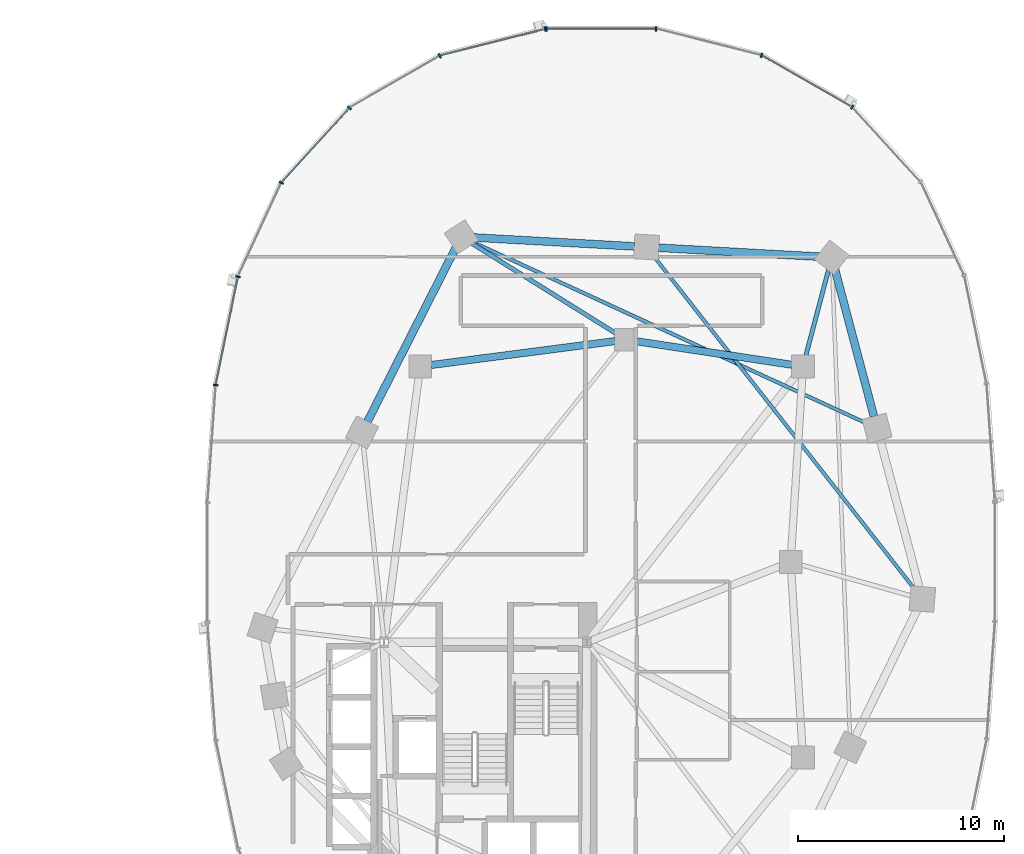
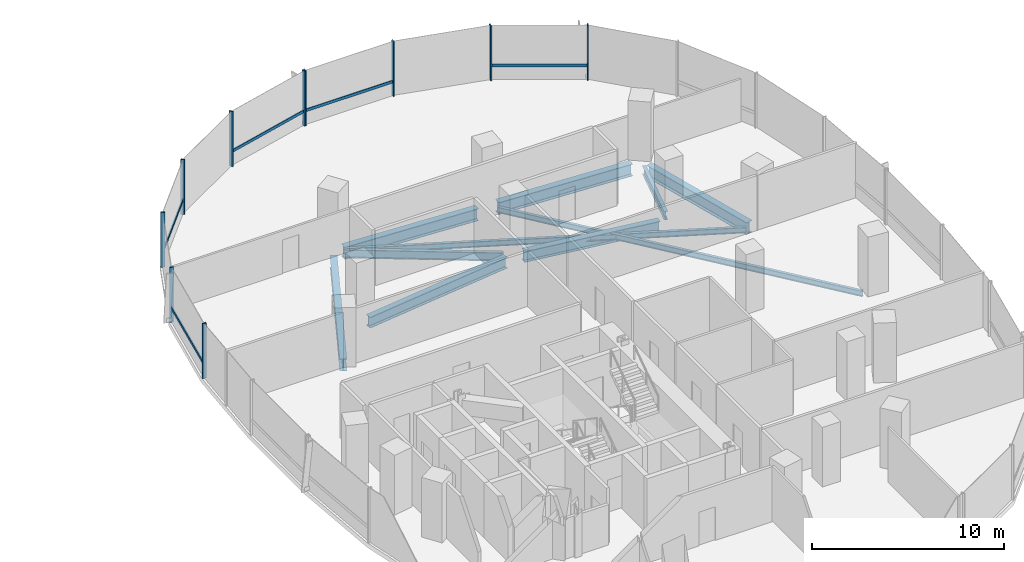
# One storey, part 7 of 21: 15 members, 10 beams, 2 elements without a shape of their own.
"""IFC4 building model written with IfcOpenShell, lengths in metres."""

from ifc_helpers import new_model, si_unit, direction, frame, origin, origin_2d, place, context, subcontext, project, spatial, rectangle, i_section, extrude, material, material_profile, profile_set, type_object, element, aggregate, save


model = new_model("IFC4")

# Units and contexts
model_context = context("Model", 3, precision=1e-05, world=origin(), true_north=direction((0.0, 1.0)))
body_context = subcontext(model_context, "Body", "Model", "MODEL_VIEW")
ifc_project = project(units=[si_unit("LENGTHUNIT", "METRE"), si_unit("AREAUNIT", "SQUARE_METRE"), si_unit("VOLUMEUNIT", "CUBIC_METRE"), si_unit("PLANEANGLEUNIT", "RADIAN"), si_unit("MASSUNIT", "GRAM", prefix="KILO"), si_unit("THERMODYNAMICTEMPERATUREUNIT", "KELVIN"), si_unit("POWERUNIT", "WATT")], contexts=[model_context])

# Site, building, storey
site_placement = place(None, origin())
site = spatial("IfcSite", under=ifc_project, at=site_placement, CompositionType="ELEMENT")
building_placement = place(site_placement, origin())
building = spatial("IfcBuilding", under=site, at=building_placement, Name="Cundina Bronze Exchange", CompositionType="ELEMENT")
storey_placement = place(building_placement, frame((0.0, 0.0, 65.800048828125)))
storey = spatial("IfcBuildingStorey", under=building, at=storey_placement, Name="L16", CompositionType="ELEMENT", Elevation=65.800048828125)

# Beams
ifc_material_1 = material(Name="Steel ASTM A992 Grade 50", Category="steel")
ifc_material_profile_1 = material_profile(ifc_material_1, i_section(OverallWidth=0.2099609375, OverallDepth=0.532958984375, WebThickness=0.01025390625, FlangeThickness=0.015625, FilletRadius=0.013916015625, at=origin_2d()), Name="W21X62", Category="steel")
ifc_profile_set_1 = profile_set([ifc_material_profile_1], Name="Steel ASTM A992 Grade 50")
beam_type_1 = type_object("IfcBeamType", Name="BM-FLR-W21B", PredefinedType="BEAM", material=ifc_profile_set_1)
beam_1_placement = place(storey_placement, frame((41.9375, 10.020263671875, -0.566650390625), z_axis=(0.255373327887, 0.966842522546, 0.0), x_axis=(-0.966842522546, 0.255373327887, 0.0)))
element("IfcBeam", 1, at=beam_1_placement, inside=storey, type_object=beam_type_1, Name="L16 Leg E Chordal Floor Beam 10", PredefinedType="BEAM", context=body_context, shape_type="SweptSolid", body=[
    extrude(i_section(OverallWidth=0.2099609375, OverallDepth=0.532958984375, WebThickness=0.01025390625, FlangeThickness=0.015625, FilletRadius=0.013916015625, at=origin_2d()), origin(), (0.0, 0.0, 1.0), 4.355712890625),
])
beam_2_placement = place(storey_placement, frame((32.743896484375, 11.085205078125, -0.566650390625), z_axis=(-0.848014812458, 0.529972525563, 0.0), x_axis=(-0.529972525563, -0.848014812458, 0.0)))
element("IfcBeam", 2, at=beam_2_placement, inside=storey, type_object=beam_type_1, Name="L16 Leg E Chordal Floor Beam 12", PredefinedType="BEAM", context=body_context, shape_type="SweptSolid", body=[
    extrude(i_section(OverallWidth=0.2099609375, OverallDepth=0.532958984375, WebThickness=0.01025390625, FlangeThickness=0.015625, FilletRadius=0.013916015625, at=origin_2d()), origin(), (0.0, 0.0, 1.0), 8.30810546875),
])
ifc_material_profile_2 = material_profile(ifc_material_1, i_section(OverallWidth=0.172119140625, OverallDepth=0.35791015625, WebThickness=0.0078125, FlangeThickness=0.01318359375, FilletRadius=0.010009765625, at=origin_2d()), Name="W14X38", Category="steel")
ifc_profile_set_2 = profile_set([ifc_material_profile_2], Name="Steel ASTM A992 Grade 50")
beam_type_2 = type_object("IfcBeamType", Name="BM-JST-W14", PredefinedType="JOIST", material=ifc_profile_set_2)
beam_3_placement = place(storey_placement, frame((47.2373046875, -1.337158203125, -0.47900390625), z_axis=(-0.616803089524, 0.787117493614, 0.0), x_axis=(-0.787117493614, -0.616803089524, 0.0)))
element("IfcBeam", 3, at=beam_3_placement, inside=storey, type_object=beam_type_2, Name="L16 Leg E Lobe Floor Joist 08-11", PredefinedType="JOIST", context=body_context, shape_type="SweptSolid", body=[
    extrude(i_section(OverallWidth=0.172119140625, OverallDepth=0.35791015625, WebThickness=0.0078125, FlangeThickness=0.01318359375, FilletRadius=0.010009765625, at=origin_2d()), origin(), (0.0, 0.0, 1.0), 20.548828125),
])
beam_4_placement = place(storey_placement, frame((44.865966796875, 6.745849609375, -0.47900390625), z_axis=(-0.908351511887, 0.418207521277, 0.0), x_axis=(-0.418207521277, -0.908351511887, 0.0)))
element("IfcBeam", 4, at=beam_4_placement, inside=storey, type_object=beam_type_2, Name="L16 Leg E Lobe Floor Joist 09-12", PredefinedType="JOIST", context=body_context, shape_type="SweptSolid", body=[
    extrude(i_section(OverallWidth=0.172119140625, OverallDepth=0.35791015625, WebThickness=0.0078125, FlangeThickness=0.01318359375, FilletRadius=0.010009765625, at=origin_2d()), origin(), (0.0, 0.0, 1.0), 21.062255859375),
])
ifc_material_profile_3 = material_profile(ifc_material_1, i_section(OverallWidth=0.35498046875, OverallDepth=0.695068359375, WebThickness=0.015380859375, FlangeThickness=0.02490234375, FilletRadius=0.01806640625, at=origin_2d()), Name="W27X146", Category="steel")
ifc_profile_set_3 = profile_set([ifc_material_profile_3], Name="Steel ASTM A992 Grade 50")
beam_type_3 = type_object("IfcBeamType", Name="BM-RING-W27", PredefinedType="USERDEFINED", material=ifc_profile_set_3)
beam_5_placement = place(storey_placement, frame((41.26806640625, 9.580322265625, -0.6474609375), z_axis=(-0.988767489563, 0.149461873341, 0.0), x_axis=(-0.149461873341, -0.988767489563, 0.0)))
element("IfcBeam", 5, at=beam_5_placement, inside=storey, type_object=beam_type_3, Name="L16 E Inner Structural Ring Girder 05", ObjectType="GIRDER", PredefinedType="USERDEFINED", context=body_context, shape_type="SweptSolid", body=[
    extrude(i_section(OverallWidth=0.35498046875, OverallDepth=0.695068359375, WebThickness=0.015380859375, FlangeThickness=0.02490234375, FilletRadius=0.01806640625, at=origin_2d()), origin(), (0.0, 0.0, 1.0), 7.621826171875),
])
beam_6_placement = place(storey_placement, frame((32.66650390625, 10.730712890625, -0.6474609375), z_axis=(-0.991654577907, -0.128923225666, 0.0), x_axis=(0.128923225666, -0.991654577907, 0.0)))
element("IfcBeam", 6, at=beam_6_placement, inside=storey, type_object=beam_type_3, Name="L16 E Inner Structural Ring Girder 06", ObjectType="GIRDER", PredefinedType="USERDEFINED", context=body_context, shape_type="SweptSolid", body=[
    extrude(i_section(OverallWidth=0.35498046875, OverallDepth=0.695068359375, WebThickness=0.015380859375, FlangeThickness=0.02490234375, FilletRadius=0.01806640625, at=origin_2d()), origin(), (0.0, 0.0, 1.0), 9.00830078125),
])
ifc_material_profile_4 = material_profile(ifc_material_1, i_section(OverallWidth=0.381103515625, OverallDepth=0.77294921875, WebThickness=0.0166015625, FlangeThickness=0.027099609375, FilletRadius=0.01904296875, at=origin_2d()), Name="W30X173", Category="steel")
ifc_profile_set_4 = profile_set([ifc_material_profile_4], Name="Steel ASTM A992 Grade 50")
beam_type_4 = type_object("IfcBeamType", Name="BM-RING-W30", PredefinedType="USERDEFINED", material=ifc_profile_set_4)
beam_7_placement = place(storey_placement, frame((45.249267578125, 7.068359375, -0.6865234375), z_axis=(-0.256208567826, 0.966621523541, 0.0), x_axis=(-0.966621523541, -0.256208567826, 0.0)))
element("IfcBeam", 7, at=beam_7_placement, inside=storey, type_object=beam_type_4, Name="L16 E Perimeter Ring Girder 09", ObjectType="GIRDER", PredefinedType="USERDEFINED", context=body_context, shape_type="SweptSolid", body=[
    extrude(i_section(OverallWidth=0.381103515625, OverallDepth=0.77294921875, WebThickness=0.0166015625, FlangeThickness=0.027099609375, FilletRadius=0.01904296875, at=origin_2d()), origin(), (0.0, 0.0, 1.0), 7.41064453125),
])
for number, where, z_axis, x_axis, name in (
    (8, (42.61279296875, 14.83251953125, -0.6865234375), (-0.998459969805, 0.055476920391, 0.0), (-0.055476920391, -0.998459969805, 0.0), "L16 E Perimeter Ring Girder 10"),
    (9, (33.61279296875, 15.33251953125, -0.6865234375), (-0.998459969805, 0.055476920391, 0.0), (-0.055476920391, -0.998459969805, 0.0), "L16 E Perimeter Ring Girder 11"),
):
    element("IfcBeam", number, at=place(storey_placement, frame(where, z_axis=z_axis, x_axis=x_axis)), inside=storey, type_object=beam_type_4, Name=name, ObjectType="GIRDER", PredefinedType="USERDEFINED", context=body_context, shape_type="SweptSolid", body=[
        extrude(i_section(OverallWidth=0.381103515625, OverallDepth=0.77294921875, WebThickness=0.0166015625, FlangeThickness=0.027099609375, FilletRadius=0.01904296875, at=origin_2d()), origin(), (0.0, 0.0, 1.0), 7.837646484375),
    ])
beam_8_placement = place(storey_placement, frame((24.93359375, 15.275634765625, -0.6865234375), z_axis=(-0.452819633606, -0.891602141889, 0.0), x_axis=(0.891602141889, -0.452819633606, 0.0)))
element("IfcBeam", 10, at=beam_8_placement, inside=storey, type_object=beam_type_4, Name="L16 E Perimeter Ring Girder 12", ObjectType="GIRDER", PredefinedType="USERDEFINED", context=body_context, shape_type="SweptSolid", body=[
    extrude(i_section(OverallWidth=0.381103515625, OverallDepth=0.77294921875, WebThickness=0.0166015625, FlangeThickness=0.027099609375, FilletRadius=0.01904296875, at=origin_2d()), origin(), (0.0, 0.0, 1.0), 9.47900390625),
])

# Curtain wall, members
ifc_material_2 = material(Name="Anodised Bronze Aluminium 6063-T6", Category="aluminium")
curtain_wall_type = type_object("IfcCurtainWallType", Name="CWS-TRD-LOW", PredefinedType="NOTDEFINED", material=ifc_material_2)
curtain_wall_1_placement = place(storey_placement, origin())
curtain_wall_1 = element("IfcCurtainWall", 11, at=curtain_wall_1_placement, inside=storey, type_object=curtain_wall_type, Name="L16 CW-02 Curtain Wall Run CWR-L16-E1", PredefinedType="NOTDEFINED")
ifc_material_profile_5 = material_profile(ifc_material_2, rectangle(XDim=0.074951171875, YDim=0.219970703125, at=origin_2d()), Name="AL75X220", Category="aluminium")
ifc_profile_set_5 = profile_set([ifc_material_profile_5], Name="Anodised Bronze Aluminium 6063-T6")
member_type_1 = type_object("IfcMemberType", Name="CWM-MUL-220", PredefinedType="MULLION", material=ifc_profile_set_5)
member_1_placement = place(storey_placement, frame((44.189697265625, 22.097412109375, 0.0), z_axis=(0.0, 0.0, 1.0), x_axis=(-0.867070701164, 0.498185105339, 0.0)))
member_1 = element("IfcMember", 12, at=member_1_placement, type_object=member_type_1, Name="CW-02 Mullion 5", PredefinedType="MULLION", context=body_context, shape_type="SweptSolid", body=[
    extrude(rectangle(XDim=0.074951171875, YDim=0.219970703125, at=origin_2d()), origin(), (0.0, 0.0, 1.0), 3.5),
])
member_2_placement = place(storey_placement, frame((39.78515625, 24.61669921875, 0.0), z_axis=(0.0, 0.0, 1.0), x_axis=(-0.969488149345, 0.245138182011, 0.0)))
member_2 = element("IfcMember", 13, at=member_2_placement, type_object=member_type_1, Name="CW-02 Mullion 6", PredefinedType="MULLION", context=body_context, shape_type="SweptSolid", body=[
    extrude(rectangle(XDim=0.074951171875, YDim=0.219970703125, at=origin_2d()), origin(), (0.0, 0.0, 1.0), 3.5),
])
member_3_placement = place(storey_placement, frame((34.654541015625, 25.905029296875, 0.0), z_axis=(0.0, 0.0, 1.0), x_axis=(-1.0, 0.0, 0.0)))
member_3 = element("IfcMember", 14, at=member_3_placement, type_object=member_type_1, Name="CW-02 Mullion 7", PredefinedType="MULLION", context=body_context, shape_type="SweptSolid", body=[
    extrude(rectangle(XDim=0.074951171875, YDim=0.219970703125, at=origin_2d()), origin(), (0.0, 0.0, 1.0), 3.5),
])
member_4_placement = place(storey_placement, frame((29.345458984375, 25.905029296875, 0.0), z_axis=(0.0, 0.0, 1.0), x_axis=(-1.0, 0.0, 0.0)))
member_4 = element("IfcMember", 15, at=member_4_placement, type_object=member_type_1, Name="CW-02 End Mullion", PredefinedType="MULLION", context=body_context, shape_type="SweptSolid", body=[
    extrude(rectangle(XDim=0.074951171875, YDim=0.219970703125, at=origin_2d()), origin(), (0.0, 0.0, 1.0), 3.5),
])

curtain_wall_2_placement = place(storey_placement, origin())
curtain_wall_2 = element("IfcCurtainWall", 16, at=curtain_wall_2_placement, inside=storey, type_object=curtain_wall_type, Name="L16 CW-02 Curtain Wall Run CWR-L16-E2", PredefinedType="NOTDEFINED")
member_5_placement = place(storey_placement, frame((29.27392578125, 25.89599609375, 0.0), z_axis=(0.0, 0.0, 1.0), x_axis=(-0.969488149345, -0.245138182011, 0.0)))
member_5 = element("IfcMember", 17, at=member_5_placement, type_object=member_type_1, Name="CW-02 Mullion 1", PredefinedType="MULLION", context=body_context, shape_type="SweptSolid", body=[
    extrude(rectangle(XDim=0.074951171875, YDim=0.219970703125, at=origin_2d()), origin(), (0.0, 0.0, 1.0), 3.5),
])
member_6_placement = place(storey_placement, frame((24.151123046875, 24.591064453125, 0.0), z_axis=(0.0, 0.0, 1.0), x_axis=(-0.867070701164, -0.498185105339, 0.0)))
member_6 = element("IfcMember", 18, at=member_6_placement, type_object=member_type_1, Name="CW-02 Mullion 2", PredefinedType="MULLION", context=body_context, shape_type="SweptSolid", body=[
    extrude(rectangle(XDim=0.074951171875, YDim=0.219970703125, at=origin_2d()), origin(), (0.0, 0.0, 1.0), 3.5),
])
member_7_placement = place(storey_placement, frame((19.760498046875, 22.0576171875, 0.0), z_axis=(0.0, 0.0, 1.0), x_axis=(-0.674302387584, -0.738455340626, 0.0)))
member_7 = element("IfcMember", 19, at=member_7_placement, type_object=member_type_1, Name="CW-02 Mullion 3", PredefinedType="MULLION", context=body_context, shape_type="SweptSolid", body=[
    extrude(rectangle(XDim=0.074951171875, YDim=0.219970703125, at=origin_2d()), origin(), (0.0, 0.0, 1.0), 3.5),
])
member_8_placement = place(storey_placement, frame((16.455810546875, 18.423583984375, 0.0), z_axis=(0.0, 0.0, 1.0), x_axis=(-0.42087749791, -0.907117485088, 0.0)))
member_8 = element("IfcMember", 20, at=member_8_placement, type_object=member_type_1, Name="CW-02 Mullion 4", PredefinedType="MULLION", context=body_context, shape_type="SweptSolid", body=[
    extrude(rectangle(XDim=0.074951171875, YDim=0.219970703125, at=origin_2d()), origin(), (0.0, 0.0, 1.0), 3.5),
])
member_9_placement = place(storey_placement, frame((14.348876953125, 13.861328125, 0.0), z_axis=(0.0, 0.0, 1.0), x_axis=(-0.201419845156, -0.979505000486, 0.0)))
member_9 = element("IfcMember", 21, at=member_9_placement, type_object=member_type_1, Name="CW-02 Mullion 5", PredefinedType="MULLION", context=body_context, shape_type="SweptSolid", body=[
    extrude(rectangle(XDim=0.074951171875, YDim=0.219970703125, at=origin_2d()), origin(), (0.0, 0.0, 1.0), 3.5),
])
member_10_placement = place(storey_placement, frame((13.27099609375, 8.591552734375, 0.0), z_axis=(0.0, 0.0, 1.0), x_axis=(-0.070278787473, -0.997527389113, 0.0)))
member_10 = element("IfcMember", 22, at=member_10_placement, type_object=member_type_1, Name="CW-02 Mullion 6", PredefinedType="MULLION", context=body_context, shape_type="SweptSolid", body=[
    extrude(rectangle(XDim=0.074951171875, YDim=0.219970703125, at=origin_2d()), origin(), (0.0, 0.0, 1.0), 3.5),
])

# Member
ifc_material_profile_6 = material_profile(ifc_material_2, rectangle(XDim=0.070068359375, YDim=0.179931640625, at=origin_2d()), Name="AL70X180", Category="aluminium")
ifc_profile_set_6 = profile_set([ifc_material_profile_6], Name="Anodised Bronze Aluminium 6063-T6")
member_type_2 = type_object("IfcMemberType", Name="CWM-TRN-180", PredefinedType="USERDEFINED", material=ifc_profile_set_6)
member_11_placement = place(storey_placement, frame((44.154052734375, 22.117919921875, 0.919921875), z_axis=(-0.867097475651, 0.498138502546, 0.0), x_axis=(-0.498138502546, -0.867097475651, 0.0)))
member_11 = element("IfcMember", 23, at=member_11_placement, type_object=member_type_2, Name="CW-02 Spandrel Transom 5", ObjectType="TRANSOM", PredefinedType="USERDEFINED", context=body_context, shape_type="SweptSolid", body=[
    extrude(rectangle(XDim=0.070068359375, YDim=0.179931640625, at=origin_2d()), origin(), (0.0, 0.0, 1.0), 5.00634765625),
])

member_12_placement = place(storey_placement, frame((34.61328125, 25.905029296875, 0.919921875), z_axis=(-1.0, 0.0, 0.0), x_axis=(0.0, -1.0, 0.0)))
member_12 = element("IfcMember", 24, at=member_12_placement, type_object=member_type_2, Name="CW-02 Spandrel Transom 7", ObjectType="TRANSOM", PredefinedType="USERDEFINED", context=body_context, shape_type="SweptSolid", body=[
    extrude(rectangle(XDim=0.070068359375, YDim=0.179931640625, at=origin_2d()), origin(), (0.0, 0.0, 1.0), 5.2265625),
])

aggregate(curtain_wall_1, [member_1, member_11, member_2, member_3, member_4, member_12])

member_13_placement = place(storey_placement, frame((29.23388671875, 25.885986328125, 0.919921875), z_axis=(-0.969483968866, -0.245154714644, 0.0), x_axis=(0.245154714644, -0.969483968866, 0.0)))
member_13 = element("IfcMember", 25, at=member_13_placement, type_object=member_type_2, Name="CW-02 Spandrel Transom 1", ObjectType="TRANSOM", PredefinedType="USERDEFINED", context=body_context, shape_type="SweptSolid", body=[
    extrude(rectangle(XDim=0.070068359375, YDim=0.179931640625, at=origin_2d()), origin(), (0.0, 0.0, 1.0), 5.21826171875),
])

member_14_placement = place(storey_placement, frame((19.73291015625, 22.027099609375, 0.919921875), z_axis=(-0.674302794847, -0.738454968743, 0.0), x_axis=(0.738454968743, -0.674302794847, 0.0)))
member_14 = element("IfcMember", 26, at=member_14_placement, type_object=member_type_2, Name="CW-02 Spandrel Transom 3", ObjectType="TRANSOM", PredefinedType="USERDEFINED", context=body_context, shape_type="SweptSolid", body=[
    extrude(rectangle(XDim=0.070068359375, YDim=0.179931640625, at=origin_2d()), origin(), (0.0, 0.0, 1.0), 4.848388671875),
])

member_15_placement = place(storey_placement, frame((14.340576171875, 13.821044921875, 0.919921875), z_axis=(-0.201427712708, -0.979503382615, 0.0), x_axis=(0.979503382615, -0.201427712708, 0.0)))
member_15 = element("IfcMember", 27, at=member_15_placement, type_object=member_type_2, Name="CW-02 Spandrel Transom 5", ObjectType="TRANSOM", PredefinedType="USERDEFINED", context=body_context, shape_type="SweptSolid", body=[
    extrude(rectangle(XDim=0.070068359375, YDim=0.179931640625, at=origin_2d()), origin(), (0.0, 0.0, 1.0), 5.291748046875),
])

aggregate(curtain_wall_2, [member_5, member_13, member_6, member_7, member_14, member_8, member_9, member_15, member_10])

save(model, "model.ifc")
